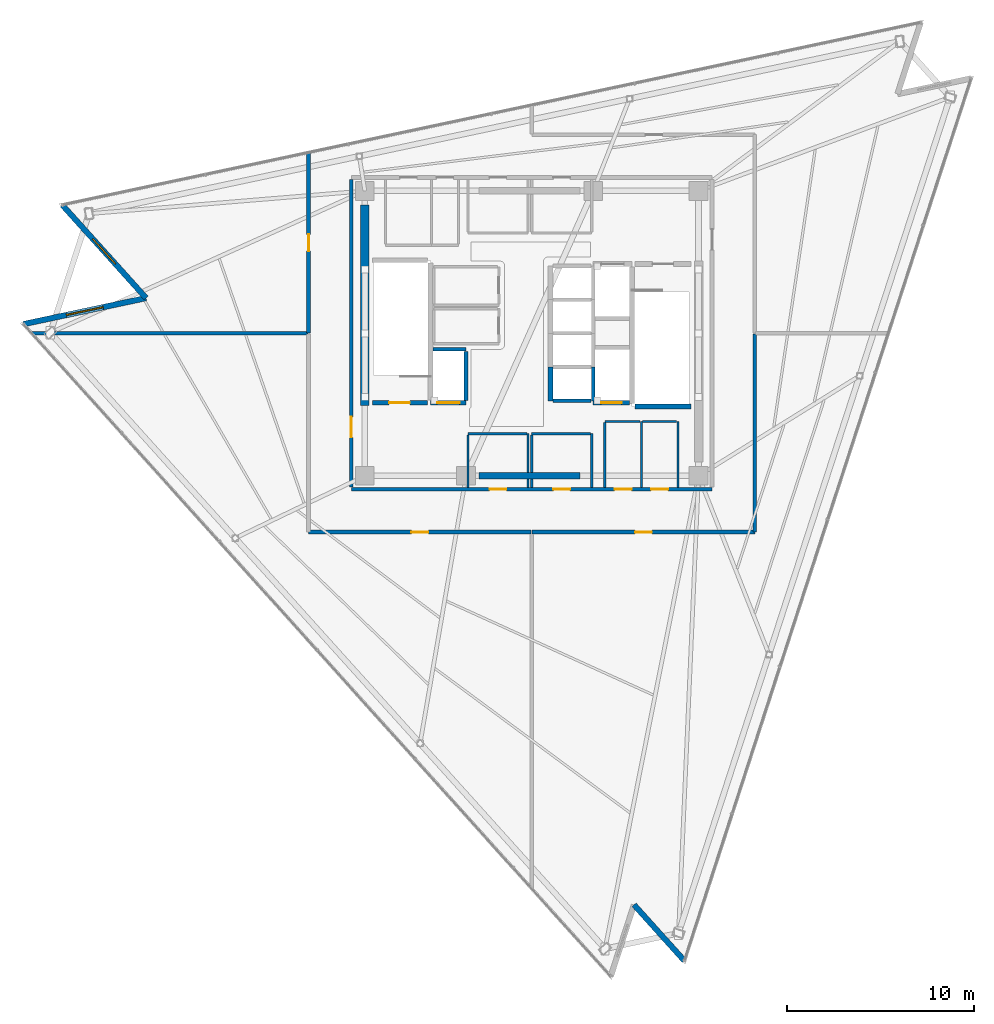
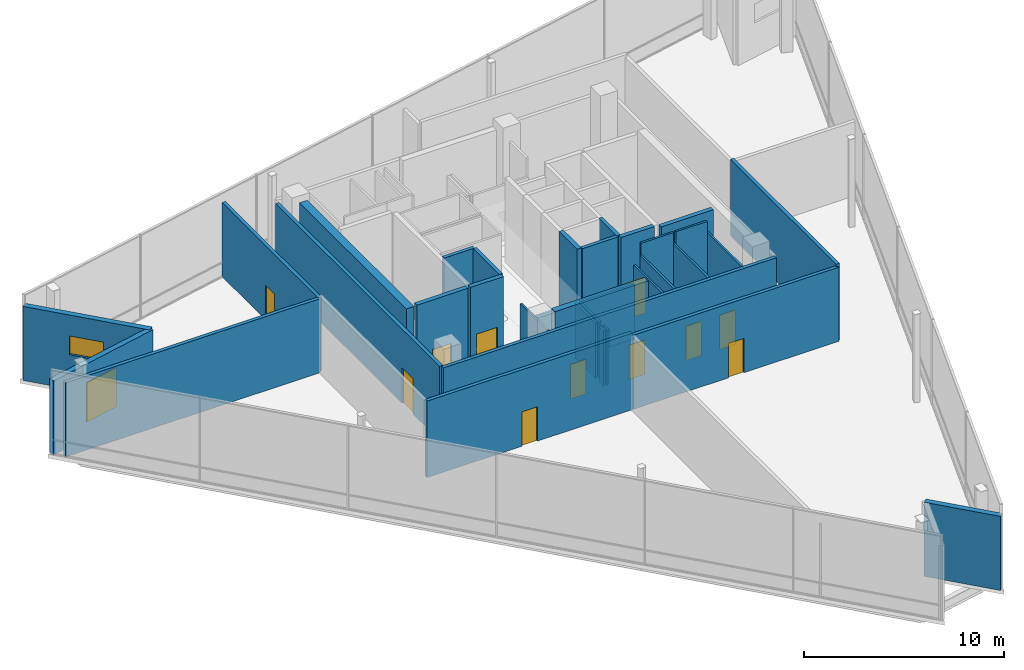
# One storey, part 11 of 14: 34 walls, 11 doors, 2 windows, 13 openings.
"""IFC4 building model written with IfcOpenShell, lengths in metres."""

import ifcopenshell
import ifcopenshell.guid

model = None  # the IFC model being written
_history = None  # IfcOwnerHistory: only IFC2X3 demands one
_inside = {}  # id of a spatial element -> (the spatial element, [elements in it])
_under = {}  # id of a project, library or spatial element -> (it, [spatial elements below it])
_declared = {}  # id of a project -> (the project, [libraries it declares])
_typed = {}  # id of a type object -> (the type object, [elements of that type])
_made_of = {}  # id of a material, layer set ... -> (it, [elements and type objects made of it])


def new_model(schema):
    """Start an empty IFC model of exactly this schema.

    Asked for "IFC4X3", IfcOpenShell would pick the latest addendum, in which some entities
    have other attributes; the version numbers below select the first issue.
    IFC2X3 requires an IfcOwnerHistory on every rooted entity: one is made here for all.
    """
    global model, _history
    if schema == "IFC4X3":
        model = ifcopenshell.file(schema_version=(4, 3, 0, 0))
    else:
        model = ifcopenshell.file(schema=schema)
    _inside.clear()
    _under.clear()
    _declared.clear()
    _typed.clear()
    _made_of.clear()
    _history = None
    if model.schema == "IFC2X3":
        org = make("IfcOrganization", Name="unknown")
        user = make(
            "IfcPersonAndOrganization",
            ThePerson=make("IfcPerson", FamilyName="unknown"),
            TheOrganization=org,
        )
        app = make(
            "IfcApplication",
            ApplicationDeveloper=org,
            Version="unknown",
            ApplicationFullName="unknown",
            ApplicationIdentifier="unknown",
        )
        _history = make(
            "IfcOwnerHistory",
            OwningUser=user,
            OwningApplication=app,
            ChangeAction="ADDED",
            CreationDate=0,
        )
    return model


def make(cls, **values):
    """One entity of the class cls with the attributes given. An attribute that is None is left unset."""
    return model.create_entity(
        cls, **{name: value for name, value in values.items() if value is not None}
    )


def rooted(cls, **values):
    """An entity with a GlobalId (a new one), such as an element, a storey or a relation."""
    return make(cls, GlobalId=ifcopenshell.guid.new(), OwnerHistory=_history, **values)


def si_unit(unit_type, name, prefix=None):
    """IfcSIUnit, for example si_unit("LENGTHUNIT", "METRE", prefix="MILLI")."""
    return make("IfcSIUnit", UnitType=unit_type, Prefix=prefix, Name=name)


def assignment(units):
    """IfcUnitAssignment: the units of a project."""
    return None if units is None else make("IfcUnitAssignment", Units=units)


def point(xyz):
    """IfcCartesianPoint."""
    return None if xyz is None else make("IfcCartesianPoint", Coordinates=xyz)


def direction(xyz):
    """IfcDirection."""
    return None if xyz is None else make("IfcDirection", DirectionRatios=xyz)


def frame(location, z_axis=None, x_axis=None):
    """IfcAxis2Placement3D, a coordinate frame: its origin and axes. An axis left out is left unset."""
    return make(
        "IfcAxis2Placement3D",
        Location=point(location),
        Axis=direction(z_axis),
        RefDirection=direction(x_axis),
    )


def frame_2d(location, x_axis=None):
    """IfcAxis2Placement2D, a coordinate frame in the plane: its origin and x axis."""
    return make(
        "IfcAxis2Placement2D", Location=point(location), RefDirection=direction(x_axis)
    )


def origin():
    """The frame at (0, 0, 0) with its axes left unset."""
    return frame((0.0, 0.0, 0.0))


def place(relative_to, where):
    """IfcLocalPlacement: puts the frame where relative to a parent placement (None: the world)."""
    return make(
        "IfcLocalPlacement", PlacementRelTo=relative_to, RelativePlacement=where
    )


def context(
    kind, dimensions, precision=None, world=None, true_north=None, identifier=None
):
    """IfcGeometricRepresentationContext, for example the 3D "Model" context."""
    return make(
        "IfcGeometricRepresentationContext",
        ContextIdentifier=identifier,
        ContextType=kind,
        CoordinateSpaceDimension=dimensions,
        Precision=precision,
        WorldCoordinateSystem=world,
        TrueNorth=true_north,
    )


def subcontext(parent, identifier, kind, view, scale=None):
    """IfcGeometricRepresentationSubContext, for example "Body" below "Model"."""
    return make(
        "IfcGeometricRepresentationSubContext",
        ContextIdentifier=identifier,
        ContextType=kind,
        ParentContext=parent,
        TargetScale=scale,
        TargetView=view,
    )


def project(units=None, contexts=None):
    """IfcProject with its units and contexts."""
    return rooted(
        "IfcProject",
        Name="project",
        RepresentationContexts=contexts,
        UnitsInContext=assignment(units),
    )


def spatial(cls, under=None, at=None, **own):
    """A site, building, storey or space (cls), placed at a placement, below another one or the project."""
    s = rooted(cls, ObjectPlacement=at, **own)
    if under is not None:
        _under.setdefault(under.id(), (under, []))[1].append(s)
    return s


def profile(cls, at=None, kind="AREA", **sizes):
    """A parametric profile (cls). Its sizes go by their IFC names, for example OverallWidth=200.0."""
    return make(cls, ProfileType=kind, Position=at, **sizes)


def rectangle(**sizes):
    """IfcRectangleProfileDef."""
    return profile("IfcRectangleProfileDef", **sizes)


def extrude(swept, where, along, depth):
    """IfcExtrudedAreaSolid: the profile swept, set in the frame where, extruded along a direction by depth."""
    return make(
        "IfcExtrudedAreaSolid",
        SweptArea=swept,
        Position=where,
        ExtrudedDirection=direction(along),
        Depth=depth,
    )


def shape(context_of_items, identifier, shape_type, items):
    """IfcShapeRepresentation: the items that make up one representation, for example the "Body"."""
    return make(
        "IfcShapeRepresentation",
        ContextOfItems=context_of_items,
        RepresentationIdentifier=identifier,
        RepresentationType=shape_type,
        Items=items,
    )


def material(Name=None, Category=None):
    """IfcMaterial."""
    return make("IfcMaterial", Name=Name, Category=Category)


def layer(
    of_material, thickness, ventilated=None, Name=None, Category=None, Priority=None
):
    """IfcMaterialLayer: one layer of a wall or slab, of a material (None: an air gap)."""
    return make(
        "IfcMaterialLayer",
        Material=of_material,
        LayerThickness=thickness,
        IsVentilated=ventilated,
        Name=Name,
        Category=Category,
        Priority=Priority,
    )


def layer_set(layers, Name=None):
    """IfcMaterialLayerSet."""
    return make("IfcMaterialLayerSet", MaterialLayers=layers, LayerSetName=Name)


def made_of(thing, what):
    """Note that an element or type object is made of a material, layer set ...; save() writes the relation."""
    if what is not None:
        _made_of.setdefault(what.id(), (what, []))[1].append(thing)
    return thing


def type_object(cls, material=None, **own):
    """A type object (cls), such as IfcWallType, which elements share."""
    return made_of(rooted(cls, **own), material)


def element(
    cls,
    number,
    at=None,
    inside=None,
    cuts=None,
    type_object=None,
    material=None,
    context=None,
    identifier="Body",
    shape_type=None,
    held_by="IfcProductDefinitionShape",
    body=None,
    shapes=None,
    **own,
):
    """One element of the class cls, such as IfcWall. Its Tag is "e" and its number.

    at: its placement. inside: the storey or other place that contains it. cuts: it is an
    opening in that element (IfcRelVoidsElement). A single representation is given by context,
    identifier, shape_type and body (its items); several are given by shapes. held_by: the class
    of the entity that holds the representations. save() writes the other relations.
    """
    e = rooted(cls, Tag="e%d" % number, ObjectPlacement=at, **own)
    if body is not None:
        shapes = [shape(context, identifier, shape_type, body)]
    if shapes is not None:
        e.Representation = make(held_by, Representations=shapes)
    if inside is not None:
        _inside.setdefault(inside.id(), (inside, []))[1].append(e)
    if cuts is not None:
        rooted(
            "IfcRelVoidsElement", RelatingBuildingElement=cuts, RelatedOpeningElement=e
        )
    if type_object is not None:
        _typed.setdefault(type_object.id(), (type_object, []))[1].append(e)
    return made_of(e, material)


def fill(opening, filler):
    """IfcRelFillsElement: the door or window that sits in an opening."""
    return rooted(
        "IfcRelFillsElement",
        RelatingOpeningElement=opening,
        RelatedBuildingElement=filler,
    )


def aggregate(whole, parts):
    """IfcRelAggregates: a whole, such as a stair, and the parts it consists of."""
    return rooted("IfcRelAggregates", RelatingObject=whole, RelatedObjects=parts)


def save(model, path):
    """Write the relations noted so far, then the file.

    IfcRelAggregates (storeys below a building ...), IfcRelContainedInSpatialStructure (elements
    in a storey), IfcRelDefinesByType, IfcRelAssociatesMaterial and IfcRelDeclares: one each for
    every whole, place, type object, material and project.
    """
    for whole, parts in _under.values():
        aggregate(whole, parts)
    for where, things in _inside.values():
        rooted(
            "IfcRelContainedInSpatialStructure",
            RelatedElements=things,
            RelatingStructure=where,
        )
    for kind, things in _typed.values():
        rooted("IfcRelDefinesByType", RelatedObjects=things, RelatingType=kind)
    for what, things in _made_of.values():
        rooted("IfcRelAssociatesMaterial", RelatedObjects=things, RelatingMaterial=what)
    for by, libraries in _declared.values():
        rooted("IfcRelDeclares", RelatingContext=by, RelatedDefinitions=libraries)
    model.write(path)


model = new_model("IFC4")

# Units and contexts
model_context = context("Model", 3, precision=1e-05, world=origin(), true_north=direction((0.0, 1.0)))
body_context = subcontext(model_context, "Body", "Model", "MODEL_VIEW")
ifc_project = project(units=[si_unit("LENGTHUNIT", "METRE"), si_unit("AREAUNIT", "SQUARE_METRE"), si_unit("VOLUMEUNIT", "CUBIC_METRE"), si_unit("PLANEANGLEUNIT", "RADIAN"), si_unit("MASSUNIT", "GRAM", prefix="KILO")], contexts=[model_context])

# Site, building, storey
site_placement = place(None, origin())
site = spatial("IfcSite", under=ifc_project, at=site_placement, CompositionType="ELEMENT")
building_placement = place(site_placement, origin())
building = spatial("IfcBuilding", under=site, at=building_placement, Name="Tharavind Bronze Gate", CompositionType="ELEMENT")
storey_placement = place(building_placement, frame((0.0, 0.0, 310.85009765625)))
storey = spatial("IfcBuildingStorey", under=building, at=storey_placement, Name="L80", CompositionType="ELEMENT", Elevation=310.85009765625)

# Wall, opening, window
ifc_material_1 = material(Name="Concrete C40/50", Category="concrete")
ifc_layer_1 = layer(ifc_material_1, 0.300048828125)
ifc_layer_set_1 = layer_set([ifc_layer_1], Name="Concrete C40/50")
wall_type_1 = type_object("IfcWallType", Name="EXTERIOR SPANDREL WALL 300", PredefinedType="STANDARD", material=ifc_layer_set_1)
wall_1_placement = place(storey_placement, frame((-25.041015625, 6.84814453125, 0.0), z_axis=(0.0, 0.0, 1.0), x_axis=(0.669132313306, -0.743143288532, 0.0)))
wall_1 = element("IfcWall", 1, at=wall_1_placement, inside=storey, type_object=wall_type_1, Name="L80 notch cheek wall 1A", PredefinedType="STANDARD", context=body_context, shape_type="SweptSolid", body=[
    extrude(rectangle(XDim=6.679931640625, YDim=0.300048828125, at=frame_2d((3.33984375, 0.0))), origin(), (0.0, 0.0, 1.0), 4.52490234375),
])
opening_1_placement = place(wall_1_placement, frame((2.43994140625, 0.0, 2.10009765625)))
opening_1 = element("IfcOpeningElement", 2, at=opening_1_placement, cuts=wall_1, Name="Opening W07", PredefinedType="OPENING", context=body_context, shape_type="SweptSolid", body=[
    extrude(rectangle(XDim=1.800048828125, YDim=1.14990234375, at=frame_2d((0.89990234375, 0.574951171875))), frame((0.0, 0.15990234375, 0.0), z_axis=(0.0, -1.0, 0.0), x_axis=(1.0, 0.0, 0.0)), (0.0, 0.0, 1.0), 0.320048828125),
])
ifc_material_2 = material(Name="Bronze Aluminium & Low-E Glass", Category="aluminium")
window_type_1 = type_object("IfcWindowType", Name="CROWN CLERESTORY SKYLIGHT 1800X1150", PartitioningType="SINGLE_PANEL", PredefinedType="SKYLIGHT", material=ifc_material_2)
window_1_placement = place(opening_1_placement, origin())
window_1 = element("IfcWindow", 3, at=window_1_placement, inside=storey, type_object=window_type_1, Name="L80 crown clerestory skylight 1", OverallHeight=1.14990234375, OverallWidth=1.800048828125, PartitioningType="SINGLE_PANEL", PredefinedType="SKYLIGHT", context=body_context, shape_type="SweptSolid", body=[
    extrude(rectangle(XDim=1.800048828125, YDim=1.14990234375, at=frame_2d((0.89990234375, 0.574951171875))), frame((0.0, 0.030029296875, 0.0), z_axis=(0.0, -1.0, 0.0), x_axis=(1.0, 0.0, 0.0)), (0.0, 0.0, 1.0), 0.06005859375),
])
fill(opening_1, window_1)

wall_2_placement = place(storey_placement, frame((-20.5712890625, 1.884033203125, 0.0), z_axis=(0.0, 0.0, 1.0), x_axis=(-0.978145008547, -0.207923885724, 0.0)))
wall_2 = element("IfcWall", 4, at=wall_2_placement, inside=storey, type_object=wall_type_1, Name="L80 notch cheek wall 1B", PredefinedType="STANDARD", context=body_context, shape_type="SweptSolid", body=[
    extrude(rectangle(XDim=6.679931640625, YDim=0.300048828125, at=frame_2d((3.33984375, 0.0))), origin(), (0.0, 0.0, 1.0), 4.52490234375),
])
opening_2_placement = place(wall_2_placement, frame((2.340087890625, 0.0, 0.85009765625)))
opening_2 = element("IfcOpeningElement", 5, at=opening_2_placement, cuts=wall_2, Name="Opening W06", PredefinedType="OPENING", context=body_context, shape_type="SweptSolid", body=[
    extrude(rectangle(XDim=2.0, YDim=2.39990234375, at=frame_2d((1.0, 1.199951171875))), frame((0.0, 0.15990234375, 0.0), z_axis=(0.0, -1.0, 0.0), x_axis=(1.0, 0.0, 0.0)), (0.0, 0.0, 1.0), 0.320048828125),
])
window_type_2 = type_object("IfcWindowType", Name="CROWN OBSERVATORY WINDOW 2000X2400", PartitioningType="DOUBLE_PANEL_VERTICAL", PredefinedType="WINDOW", material=ifc_material_2)
window_2_placement = place(opening_2_placement, origin())
window_2 = element("IfcWindow", 6, at=window_2_placement, inside=storey, type_object=window_type_2, Name="L80 exterior window WL-L80-NCB1-01", OverallHeight=2.39990234375, OverallWidth=2.0, PartitioningType="SINGLE_PANEL", PredefinedType="WINDOW", context=body_context, shape_type="SweptSolid", body=[
    extrude(rectangle(XDim=2.0, YDim=2.39990234375, at=frame_2d((1.0, 1.199951171875))), frame((0.0, 0.030029296875, 0.0), z_axis=(0.0, -1.0, 0.0), x_axis=(1.0, 0.0, 0.0)), (0.0, 0.0, 1.0), 0.06005859375),
])
fill(opening_2, window_2)

# Wall
wall_3_placement = place(storey_placement, frame((5.459228515625, -30.484130859375, 0.0), z_axis=(0.0, 0.0, 1.0), x_axis=(0.669132983361, -0.743142685208, 0.0)))
element("IfcWall", 7, at=wall_3_placement, inside=storey, type_object=wall_type_1, Name="L80 notch cheek wall 2B", PredefinedType="STANDARD", context=body_context, shape_type="SweptSolid", body=[
    extrude(rectangle(XDim=4.008056640625, YDim=0.300048828125, at=frame_2d((2.00390625, 0.0))), origin(), (0.0, 0.0, 1.0), 4.52490234375),
])

# Wall, openings, doors
ifc_material_3 = material(Name="Aerated Concrete Block", Category="concrete")
ifc_layer_2 = layer(ifc_material_3, 0.199951171875)
ifc_layer_set_2 = layer_set([ifc_layer_2], Name="Aerated Concrete Block")
wall_type_2 = type_object("IfcWallType", Name="FIRE RATED PARTITION 200", PredefinedType="PARTITIONING", material=ifc_layer_set_2)
wall_4_placement = place(storey_placement, frame((-9.6201171875, -8.320068359375, 0.0), z_axis=(0.0, 0.0, 1.0), x_axis=(1.0, 0.0, 0.0)))
wall_4 = element("IfcWall", 8, at=wall_4_placement, inside=storey, type_object=wall_type_2, Name="L80 south core corridor wall", PredefinedType="PARTITIONING", context=body_context, shape_type="SweptSolid", body=[
    extrude(rectangle(XDim=19.240234375, YDim=0.199951171875, at=frame_2d((9.6201171875, 0.0))), origin(), (0.0, 0.0, 1.0), 4.52490234375),
])
opening_3_placement = place(wall_4_placement, frame((7.3701171875, 0.0, 0.0)))
opening_3 = element("IfcOpeningElement", 9, at=opening_3_placement, cuts=wall_4, Name="Opening ID07", PredefinedType="OPENING", context=body_context, shape_type="SweptSolid", body=[
    extrude(rectangle(XDim=0.89990234375, YDim=2.10009765625, at=frame_2d((0.449951171875, 1.050048828125))), frame((0.0, 0.11009765625, 0.0), z_axis=(0.0, -1.0, 0.0), x_axis=(1.0, 0.0, 0.0)), (0.0, 0.0, 1.0), 0.219951171875),
])
opening_4_placement = place(wall_4_placement, frame((10.77001953125, 0.0, 0.0)))
opening_4 = element("IfcOpeningElement", 10, at=opening_4_placement, cuts=wall_4, Name="Opening ID07", PredefinedType="OPENING", context=body_context, shape_type="SweptSolid", body=[
    extrude(rectangle(XDim=0.89990234375, YDim=2.10009765625, at=frame_2d((0.449951171875, 1.050048828125))), frame((0.0, 0.11009765625, 0.0), z_axis=(0.0, -1.0, 0.0), x_axis=(1.0, 0.0, 0.0)), (0.0, 0.0, 1.0), 0.219951171875),
])
opening_5_placement = place(wall_4_placement, frame((14.044921875, 0.0, 0.0)))
opening_5 = element("IfcOpeningElement", 11, at=opening_5_placement, cuts=wall_4, Name="Opening ID07", PredefinedType="OPENING", context=body_context, shape_type="SweptSolid", body=[
    extrude(rectangle(XDim=0.89990234375, YDim=2.10009765625, at=frame_2d((0.449951171875, 1.050048828125))), frame((0.0, 0.11009765625, 0.0), z_axis=(0.0, -1.0, 0.0), x_axis=(1.0, 0.0, 0.0)), (0.0, 0.0, 1.0), 0.219951171875),
])
opening_6_placement = place(wall_4_placement, frame((15.9951171875, 0.0, 0.0)))
opening_6 = element("IfcOpeningElement", 12, at=opening_6_placement, cuts=wall_4, Name="Opening ID07", PredefinedType="OPENING", context=body_context, shape_type="SweptSolid", body=[
    extrude(rectangle(XDim=0.89990234375, YDim=2.10009765625, at=frame_2d((0.449951171875, 1.050048828125))), frame((0.0, 0.11009765625, 0.0), z_axis=(0.0, -1.0, 0.0), x_axis=(1.0, 0.0, 0.0)), (0.0, 0.0, 1.0), 0.219951171875),
])
ifc_material_4 = material(Name="Galvanised Fire Steel", Category="steel")
door_type_1 = type_object("IfcDoorType", Name="PLANT AND RISER FIRE DOOR 900X2100", OperationType="SINGLE_SWING_LEFT", PredefinedType="DOOR", material=ifc_material_4)
door_1_placement = place(opening_3_placement, frame((0.89990234375, 0.0, 0.0), z_axis=(0.0, 0.0, 1.0), x_axis=(-1.0, 0.0, 0.0)))
door_1 = element("IfcDoor", 13, at=door_1_placement, inside=storey, type_object=door_type_1, Name="L80 Core Chiller Valve Plant Room fire door", OperationType="SINGLE_SWING_LEFT", OverallHeight=2.10009765625, OverallWidth=0.89990234375, PredefinedType="DOOR", context=body_context, shape_type="SweptSolid", body=[
    extrude(rectangle(XDim=0.89990234375, YDim=2.10009765625, at=frame_2d((0.449951171875, 1.050048828125))), frame((0.0, 0.02490234375, 0.0), z_axis=(0.0, -1.0, 0.0), x_axis=(1.0, 0.0, 0.0)), (0.0, 0.0, 1.0), 0.050048828125),
])
fill(opening_3, door_1)
door_2_placement = place(opening_4_placement, frame((0.89990234375, 0.0, 0.0), z_axis=(0.0, 0.0, 1.0), x_axis=(-1.0, 0.0, 0.0)))
door_2 = element("IfcDoor", 14, at=door_2_placement, inside=storey, type_object=door_type_1, Name="L80 Core AHU Controls Plant Room fire door", OperationType="SINGLE_SWING_LEFT", OverallHeight=2.10009765625, OverallWidth=0.89990234375, PredefinedType="DOOR", context=body_context, shape_type="SweptSolid", body=[
    extrude(rectangle(XDim=0.89990234375, YDim=2.10009765625, at=frame_2d((0.449951171875, 1.050048828125))), frame((0.0, 0.02490234375, 0.0), z_axis=(0.0, -1.0, 0.0), x_axis=(1.0, 0.0, 0.0)), (0.0, 0.0, 1.0), 0.050048828125),
])
fill(opening_4, door_2)
door_3_placement = place(opening_5_placement, frame((0.89990234375, 0.0, 0.0), z_axis=(0.0, 0.0, 1.0), x_axis=(-1.0, 0.0, 0.0)))
door_3 = element("IfcDoor", 15, at=door_3_placement, inside=storey, type_object=door_type_1, Name="L80 Fire Pump Switch Room fire door", OperationType="SINGLE_SWING_LEFT", OverallHeight=2.10009765625, OverallWidth=0.89990234375, PredefinedType="DOOR", context=body_context, shape_type="SweptSolid", body=[
    extrude(rectangle(XDim=0.89990234375, YDim=2.10009765625, at=frame_2d((0.449951171875, 1.050048828125))), frame((0.0, 0.02490234375, 0.0), z_axis=(0.0, -1.0, 0.0), x_axis=(1.0, 0.0, 0.0)), (0.0, 0.0, 1.0), 0.050048828125),
])
fill(opening_5, door_3)
door_4_placement = place(opening_6_placement, frame((0.89990234375, 0.0, 0.0), z_axis=(0.0, 0.0, 1.0), x_axis=(-1.0, 0.0, 0.0)))
door_4 = element("IfcDoor", 16, at=door_4_placement, inside=storey, type_object=door_type_1, Name="L80 Break Water Tank Room fire door", OperationType="SINGLE_SWING_LEFT", OverallHeight=2.10009765625, OverallWidth=0.89990234375, PredefinedType="DOOR", context=body_context, shape_type="SweptSolid", body=[
    extrude(rectangle(XDim=0.89990234375, YDim=2.10009765625, at=frame_2d((0.449951171875, 1.050048828125))), frame((0.0, 0.02490234375, 0.0), z_axis=(0.0, -1.0, 0.0), x_axis=(1.0, 0.0, 0.0)), (0.0, 0.0, 1.0), 0.050048828125),
])
fill(opening_6, door_4)

# Wall, opening, door
wall_5_placement = place(storey_placement, frame((-9.6201171875, 8.199951171875, 0.0), z_axis=(0.0, 0.0, 1.0), x_axis=(0.0, -1.0, 0.0)))
wall_5 = element("IfcWall", 17, at=wall_5_placement, inside=storey, type_object=wall_type_2, Name="L80 west core corridor wall", PredefinedType="PARTITIONING", context=body_context, shape_type="SweptSolid", body=[
    extrude(rectangle(XDim=16.39990234375, YDim=0.199951171875, at=frame_2d((8.199951171875, 0.0))), origin(), (0.0, 0.0, 1.0), 4.52490234375),
])
opening_7_placement = place(wall_5_placement, frame((12.64990234375, 0.0, 0.0)))
opening_7 = element("IfcOpeningElement", 18, at=opening_7_placement, cuts=wall_5, Name="Opening ID01", PredefinedType="OPENING", context=body_context, shape_type="SweptSolid", body=[
    extrude(rectangle(XDim=1.10009765625, YDim=2.14990234375, at=frame_2d((0.550048828125, 1.074951171875))), frame((0.0, 0.11009765625, 0.0), z_axis=(0.0, -1.0, 0.0), x_axis=(1.0, 0.0, 0.0)), (0.0, 0.0, 1.0), 0.219951171875),
])
ifc_material_5 = material(Name="Fire-Rated Steel", Category="steel")
door_type_2 = type_object("IfcDoorType", Name="STAIR CORE FIRE DOOR 1100X2150", OperationType="SINGLE_SWING_LEFT", PredefinedType="DOOR", material=ifc_material_5)
door_5_placement = place(opening_7_placement, frame((1.10009765625, 0.0, 0.0), z_axis=(0.0, 0.0, 1.0), x_axis=(-1.0, 0.0, 0.0)))
door_5 = element("IfcDoor", 19, at=door_5_placement, inside=storey, type_object=door_type_2, Name="L80 south west stair lobby fire door", OperationType="SINGLE_SWING_LEFT", OverallHeight=2.14990234375, OverallWidth=1.10009765625, PredefinedType="DOOR", context=body_context, shape_type="SweptSolid", body=[
    extrude(rectangle(XDim=1.10009765625, YDim=2.14990234375, at=frame_2d((0.550048828125, 1.074951171875))), frame((0.0, 0.02490234375, 0.0), z_axis=(0.0, -1.0, 0.0), x_axis=(1.0, 0.0, 0.0)), (0.0, 0.0, 1.0), 0.050048828125),
])
fill(opening_7, door_5)

wall_6_placement = place(storey_placement, frame((-11.89990234375, 9.641357421875, 0.0), z_axis=(0.0, 0.0, 1.0), x_axis=(0.0, -1.0, 0.0)))
wall_6 = element("IfcWall", 20, at=wall_6_placement, inside=storey, type_object=wall_type_2, Name="L80 Crown Electrical Switchgear Plant West partition", PredefinedType="PARTITIONING", context=body_context, shape_type="SweptSolid", body=[
    extrude(rectangle(XDim=9.616455078125, YDim=0.199951171875, at=frame_2d((4.80810546875, 0.0))), origin(), (0.0, 0.0, 1.0), 4.52490234375),
])
opening_8_placement = place(wall_6_placement, frame((4.35791015625, 0.0, 0.0)))
opening_8 = element("IfcOpeningElement", 21, at=opening_8_placement, cuts=wall_6, Name="Opening ID07", PredefinedType="OPENING", context=body_context, shape_type="SweptSolid", body=[
    extrude(rectangle(XDim=0.89990234375, YDim=2.10009765625, at=frame_2d((0.449951171875, 1.050048828125))), frame((0.0, 0.11009765625, 0.0), z_axis=(0.0, -1.0, 0.0), x_axis=(1.0, 0.0, 0.0)), (0.0, 0.0, 1.0), 0.219951171875),
])
door_6_placement = place(opening_8_placement, origin())
door_6 = element("IfcDoor", 22, at=door_6_placement, inside=storey, type_object=door_type_1, Name="L80 Crown Electrical Switchgear Plant West door", OperationType="SINGLE_SWING_LEFT", OverallHeight=2.10009765625, OverallWidth=0.89990234375, PredefinedType="DOOR", context=body_context, shape_type="SweptSolid", body=[
    extrude(rectangle(XDim=0.89990234375, YDim=2.10009765625, at=frame_2d((0.449951171875, 1.050048828125))), frame((0.0, 0.02490234375, 0.0), z_axis=(0.0, -1.0, 0.0), x_axis=(1.0, 0.0, 0.0)), (0.0, 0.0, 1.0), 0.050048828125),
])
fill(opening_8, door_6)

# Wall
wall_7_placement = place(storey_placement, frame((-11.925048828125, 0.0, 0.0), z_axis=(0.0, 0.0, 1.0), x_axis=(-1.0, 0.0, 0.0)))
element("IfcWall", 23, at=wall_7_placement, inside=storey, type_object=wall_type_2, Name="L80 Crown Electrical Switchgear Plant West partition", PredefinedType="PARTITIONING", context=body_context, shape_type="SweptSolid", body=[
    extrude(rectangle(XDim=14.72314453125, YDim=0.199951171875, at=frame_2d((7.361572265625, 0.0))), origin(), (0.0, 0.0, 1.0), 4.52490234375),
])

# Wall, opening, door
wall_8_placement = place(storey_placement, frame((-11.8994140625, -10.60009765625, 0.0), z_axis=(0.0, 0.0, 1.0), x_axis=(1.0, 0.0, 0.0)))
wall_8 = element("IfcWall", 24, at=wall_8_placement, inside=storey, type_object=wall_type_2, Name="L80 Crown Lift Machine & Smoke Plant South partition", PredefinedType="PARTITIONING", context=body_context, shape_type="SweptSolid", body=[
    extrude(rectangle(XDim=11.87451171875, YDim=0.199951171875, at=frame_2d((5.937255859375, 0.0))), origin(), (0.0, 0.0, 1.0), 4.6748046875),
])
opening_9_placement = place(wall_8_placement, frame((5.487060546875, 0.0, 0.0)))
opening_9 = element("IfcOpeningElement", 25, at=opening_9_placement, cuts=wall_8, Name="Opening ID07", PredefinedType="OPENING", context=body_context, shape_type="SweptSolid", body=[
    extrude(rectangle(XDim=0.89990234375, YDim=2.10009765625, at=frame_2d((0.449951171875, 1.050048828125))), frame((0.0, 0.11009765625, 0.0), z_axis=(0.0, -1.0, 0.0), x_axis=(1.0, 0.0, 0.0)), (0.0, 0.0, 1.0), 0.219951171875),
])
door_7_placement = place(opening_9_placement, origin())
door_7 = element("IfcDoor", 26, at=door_7_placement, inside=storey, type_object=door_type_1, Name="L80 Crown Lift Machine & Smoke Plant South door", OperationType="SINGLE_SWING_LEFT", OverallHeight=2.10009765625, OverallWidth=0.89990234375, PredefinedType="DOOR", context=body_context, shape_type="SweptSolid", body=[
    extrude(rectangle(XDim=0.89990234375, YDim=2.10009765625, at=frame_2d((0.449951171875, 1.050048828125))), frame((0.0, 0.02490234375, 0.0), z_axis=(0.0, -1.0, 0.0), x_axis=(1.0, 0.0, 0.0)), (0.0, 0.0, 1.0), 0.050048828125),
])
fill(opening_9, door_7)

wall_9_placement = place(storey_placement, frame((0.02490234375, -10.60009765625, 0.0), z_axis=(0.0, 0.0, 1.0), x_axis=(1.0, 0.0, 0.0)))
wall_9 = element("IfcWall", 27, at=wall_9_placement, inside=storey, type_object=wall_type_2, Name="L80 Crown Booster & Damper Plant East partition", PredefinedType="PARTITIONING", context=body_context, shape_type="SweptSolid", body=[
    extrude(rectangle(XDim=11.87451171875, YDim=0.199951171875, at=frame_2d((5.937255859375, 0.0))), origin(), (0.0, 0.0, 1.0), 4.52490234375),
])
opening_10_placement = place(wall_9_placement, frame((5.487060546875, 0.0, 0.0)))
opening_10 = element("IfcOpeningElement", 28, at=opening_10_placement, cuts=wall_9, Name="Opening ID07", PredefinedType="OPENING", context=body_context, shape_type="SweptSolid", body=[
    extrude(rectangle(XDim=0.89990234375, YDim=2.10009765625, at=frame_2d((0.449951171875, 1.050048828125))), frame((0.0, 0.11009765625, 0.0), z_axis=(0.0, -1.0, 0.0), x_axis=(1.0, 0.0, 0.0)), (0.0, 0.0, 1.0), 0.219951171875),
])
door_8_placement = place(opening_10_placement, origin())
door_8 = element("IfcDoor", 29, at=door_8_placement, inside=storey, type_object=door_type_1, Name="L80 Crown Booster & Damper Plant East door", OperationType="SINGLE_SWING_LEFT", OverallHeight=2.10009765625, OverallWidth=0.89990234375, PredefinedType="DOOR", context=body_context, shape_type="SweptSolid", body=[
    extrude(rectangle(XDim=0.89990234375, YDim=2.10009765625, at=frame_2d((0.449951171875, 1.050048828125))), frame((0.0, 0.02490234375, 0.0), z_axis=(0.0, -1.0, 0.0), x_axis=(1.0, 0.0, 0.0)), (0.0, 0.0, 1.0), 0.050048828125),
])
fill(opening_10, door_8)

# Walls
wall_10_placement = place(storey_placement, frame((11.89990234375, -10.599365234375, 0.0), z_axis=(0.0, 0.0, 1.0), x_axis=(0.0, 1.0, 0.0)))
element("IfcWall", 30, at=wall_10_placement, inside=storey, type_object=wall_type_2, Name="L80 Crown Booster & Damper Plant East partition", PredefinedType="PARTITIONING", context=body_context, shape_type="SweptSolid", body=[
    extrude(rectangle(XDim=10.574462890625, YDim=0.199951171875, at=frame_2d((5.287109375, 0.0))), origin(), (0.0, 0.0, 1.0), 4.6748046875),
])
ifc_material_6 = material(Name="Metal Stud Gypsum Partition", Category="gypsum")
ifc_layer_3 = layer(ifc_material_6, 0.1201171875)
ifc_layer_set_3 = layer_set([ifc_layer_3], Name="Metal Stud Gypsum Partition")
wall_type_3 = type_object("IfcWallType", Name="INTERIOR PARTITION WALL 120", PredefinedType="PARTITIONING", material=ifc_layer_set_3)
wall_11_placement = place(storey_placement, frame((-0.199951171875, -8.215087890625, 0.0), z_axis=(0.0, 0.0, 1.0), x_axis=(0.0, 1.0, 0.0)))
element("IfcWall", 31, at=wall_11_placement, inside=storey, type_object=wall_type_3, Name="L80 Core Chiller Valve Plant Room partition 2", PredefinedType="PARTITIONING", context=body_context, shape_type="SweptSolid", body=[
    extrude(rectangle(XDim=0.43505859375, YDim=0.1201171875, at=frame_2d((0.217529296875, 0.0))), origin(), (0.0, 0.0, 1.0), 3.375),
])
wall_12_placement = place(storey_placement, frame((-0.199951171875, -7.419921875, 0.0), z_axis=(0.0, 0.0, 1.0), x_axis=(0.0, 1.0, 0.0)))
element("IfcWall", 32, at=wall_12_placement, inside=storey, type_object=wall_type_3, Name="L80 Core Chiller Valve Plant Room partition 2", PredefinedType="PARTITIONING", context=body_context, shape_type="SweptSolid", body=[
    extrude(rectangle(XDim=2.06982421875, YDim=0.1201171875, at=frame_2d((1.034912109375, 0.0))), origin(), (0.0, 0.0, 1.0), 3.375),
])
wall_13_placement = place(storey_placement, frame((-0.264892578125, -5.35009765625, 0.0), z_axis=(0.0, 0.0, 1.0), x_axis=(-1.0, 0.0, 0.0)))
element("IfcWall", 33, at=wall_13_placement, inside=storey, type_object=wall_type_3, Name="L80 Core Chiller Valve Plant Room partition 3", PredefinedType="PARTITIONING", context=body_context, shape_type="SweptSolid", body=[
    extrude(rectangle(XDim=3.135009765625, YDim=0.1201171875, at=frame_2d((1.5673828125, 0.0))), origin(), (0.0, 0.0, 1.0), 3.375),
])
wall_14_placement = place(storey_placement, frame((-3.39990234375, -5.4150390625, 0.0), z_axis=(0.0, 0.0, 1.0), x_axis=(0.0, -1.0, 0.0)))
element("IfcWall", 34, at=wall_14_placement, inside=storey, type_object=wall_type_3, Name="L80 Core Chiller Valve Plant Room partition 4", PredefinedType="PARTITIONING", context=body_context, shape_type="SweptSolid", body=[
    extrude(rectangle(XDim=2.800048828125, YDim=0.1201171875, at=frame_2d((1.39990234375, 0.0))), origin(), (0.0, 0.0, 1.0), 4.474853515625),
])
wall_15_placement = place(storey_placement, frame((3.199951171875, -8.215087890625, 0.0), z_axis=(0.0, 0.0, 1.0), x_axis=(0.0, 1.0, 0.0)))
element("IfcWall", 35, at=wall_15_placement, inside=storey, type_object=wall_type_3, Name="L80 Core AHU Controls Plant Room partition 2", PredefinedType="PARTITIONING", context=body_context, shape_type="SweptSolid", body=[
    extrude(rectangle(XDim=2.864990234375, YDim=0.1201171875, at=frame_2d((1.4326171875, 0.0))), origin(), (0.0, 0.0, 1.0), 4.474853515625),
])
wall_16_placement = place(storey_placement, frame((3.135009765625, -5.35009765625, 0.0), z_axis=(0.0, 0.0, 1.0), x_axis=(-1.0, 0.0, 0.0)))
element("IfcWall", 36, at=wall_16_placement, inside=storey, type_object=wall_type_3, Name="L80 Core AHU Controls Plant Room partition 3", PredefinedType="PARTITIONING", context=body_context, shape_type="SweptSolid", body=[
    extrude(rectangle(XDim=3.135009765625, YDim=0.1201171875, at=frame_2d((1.5673828125, 0.0))), origin(), (0.0, 0.0, 1.0), 3.375),
])
wall_17_placement = place(storey_placement, frame((0.0, -5.4150390625, 0.0), z_axis=(0.0, 0.0, 1.0), x_axis=(0.0, -1.0, 0.0)))
element("IfcWall", 37, at=wall_17_placement, inside=storey, type_object=wall_type_3, Name="L80 Core AHU Controls Plant Room partition 4", PredefinedType="PARTITIONING", context=body_context, shape_type="SweptSolid", body=[
    extrude(rectangle(XDim=2.0048828125, YDim=0.1201171875, at=frame_2d((1.00244140625, 0.0))), origin(), (0.0, 0.0, 1.0), 3.375),
])
wall_18_placement = place(storey_placement, frame((0.0, -7.780029296875, 0.0), z_axis=(0.0, 0.0, 1.0), x_axis=(0.0, -1.0, 0.0)))
element("IfcWall", 38, at=wall_18_placement, inside=storey, type_object=wall_type_3, Name="L80 Core AHU Controls Plant Room partition 4", PredefinedType="PARTITIONING", context=body_context, shape_type="SweptSolid", body=[
    extrude(rectangle(XDim=0.43505859375, YDim=0.1201171875, at=frame_2d((0.217529296875, 0.0))), origin(), (0.0, 0.0, 1.0), 3.375),
])
wall_19_placement = place(storey_placement, frame((5.85009765625, -8.215087890625, 0.0), z_axis=(0.0, 0.0, 1.0), x_axis=(0.0, 1.0, 0.0)))
element("IfcWall", 39, at=wall_19_placement, inside=storey, type_object=wall_type_3, Name="L80 Fire Pump Switch Room partition 2", PredefinedType="PARTITIONING", context=body_context, shape_type="SweptSolid", body=[
    extrude(rectangle(XDim=3.51513671875, YDim=0.1201171875, at=frame_2d((1.757568359375, 0.0))), origin(), (0.0, 0.0, 1.0), 4.474853515625),
])
wall_20_placement = place(storey_placement, frame((5.784912109375, -4.699951171875, 0.0), z_axis=(0.0, 0.0, 1.0), x_axis=(-1.0, 0.0, 0.0)))
element("IfcWall", 40, at=wall_20_placement, inside=storey, type_object=wall_type_3, Name="L80 Fire Pump Switch Room partition 3", PredefinedType="PARTITIONING", context=body_context, shape_type="SweptSolid", body=[
    extrude(rectangle(XDim=1.885009765625, YDim=0.1201171875, at=frame_2d((0.9423828125, 0.0))), origin(), (0.0, 0.0, 1.0), 5.179931640625),
])
wall_21_placement = place(storey_placement, frame((3.89990234375, -4.764892578125, 0.0), z_axis=(0.0, 0.0, 1.0), x_axis=(0.0, -1.0, 0.0)))
element("IfcWall", 41, at=wall_21_placement, inside=storey, type_object=wall_type_3, Name="L80 Fire Pump Switch Room partition 4", PredefinedType="PARTITIONING", context=body_context, shape_type="SweptSolid", body=[
    extrude(rectangle(XDim=3.4501953125, YDim=0.1201171875, at=frame_2d((1.72509765625, 0.0))), origin(), (0.0, 0.0, 1.0), 4.474853515625),
])
wall_22_placement = place(storey_placement, frame((7.800048828125, -8.215087890625, 0.0), z_axis=(0.0, 0.0, 1.0), x_axis=(0.0, 1.0, 0.0)))
element("IfcWall", 42, at=wall_22_placement, inside=storey, type_object=wall_type_3, Name="L80 Break Water Tank Room partition 2", PredefinedType="PARTITIONING", context=body_context, shape_type="SweptSolid", body=[
    extrude(rectangle(XDim=3.51513671875, YDim=0.1201171875, at=frame_2d((1.757568359375, 0.0))), origin(), (0.0, 0.0, 1.0), 4.474853515625),
])
wall_23_placement = place(storey_placement, frame((7.735107421875, -4.699951171875, 0.0), z_axis=(0.0, 0.0, 1.0), x_axis=(-1.0, 0.0, 0.0)))
element("IfcWall", 43, at=wall_23_placement, inside=storey, type_object=wall_type_3, Name="L80 Break Water Tank Room partition 3", PredefinedType="PARTITIONING", context=body_context, shape_type="SweptSolid", body=[
    extrude(rectangle(XDim=1.820068359375, YDim=0.1201171875, at=frame_2d((0.91015625, 0.0))), origin(), (0.0, 0.0, 1.0), 5.179931640625),
])

# Wall, opening, door
ifc_material_7 = material(Name="Concrete C50/60", Category="concrete")
ifc_layer_4 = layer(ifc_material_7, 0.25)
ifc_layer_set_4 = layer_set([ifc_layer_4], Name="Concrete C50/60")
wall_type_4 = type_object("IfcWallType", Name="RC CORE SHEAR WALL 250", PredefinedType="SHEAR", material=ifc_layer_set_4)
wall_24_placement = place(storey_placement, frame((-8.5, -3.699951171875, 0.0), z_axis=(0.0, 0.0, 1.0), x_axis=(1.0, 0.0, 0.0)))
wall_24 = element("IfcWall", 44, at=wall_24_placement, inside=storey, type_object=wall_type_4, Name="L80 ST1 shaft south wall", PredefinedType="SHEAR", context=body_context, shape_type="SweptSolid", body=[
    extrude(rectangle(XDim=2.949951171875, YDim=0.25, at=frame_2d((1.47509765625, 0.0))), origin(), (0.0, 0.0, 1.0), 5.179931640625),
])
opening_11_placement = place(wall_24_placement, frame((0.89990234375, 0.0, 0.0)))
opening_11 = element("IfcOpeningElement", 45, at=opening_11_placement, cuts=wall_24, Name="Opening ID01", PredefinedType="OPENING", context=body_context, shape_type="SweptSolid", body=[
    extrude(rectangle(XDim=1.10009765625, YDim=2.14990234375, at=frame_2d((0.550048828125, 1.074951171875))), frame((0.0, 0.135, 0.0), z_axis=(0.0, -1.0, 0.0), x_axis=(1.0, 0.0, 0.0)), (0.0, 0.0, 1.0), 0.27),
])
door_9_placement = place(opening_11_placement, origin())
door_9 = element("IfcDoor", 46, at=door_9_placement, inside=storey, type_object=door_type_2, Name="L80 exit stair ST1 fire door", OperationType="SINGLE_SWING_LEFT", OverallHeight=2.14990234375, OverallWidth=1.10009765625, PredefinedType="DOOR", context=body_context, shape_type="SweptSolid", body=[
    extrude(rectangle(XDim=1.10009765625, YDim=2.14990234375, at=frame_2d((0.550048828125, 1.074951171875))), frame((0.0, 0.02490234375, 0.0), z_axis=(0.0, -1.0, 0.0), x_axis=(1.0, 0.0, 0.0)), (0.0, 0.0, 1.0), 0.050048828125),
])
fill(opening_11, door_9)

# Walls
wall_25_placement = place(storey_placement, frame((5.5, -3.89990234375, 0.0), z_axis=(0.0, 0.0, 1.0), x_axis=(1.0, 0.0, 0.0)))
element("IfcWall", 47, at=wall_25_placement, inside=storey, type_object=wall_type_4, Name="L80 ST2 shaft south wall", PredefinedType="SHEAR", context=body_context, shape_type="SweptSolid", body=[
    extrude(rectangle(XDim=3.0, YDim=0.25, at=frame_2d((1.5, 0.0))), origin(), (0.0, 0.0, 1.0), 5.179931640625),
])
wall_26_placement = place(storey_placement, frame((1.0, -3.60009765625, 0.0), z_axis=(0.0, 0.0, 1.0), x_axis=(0.0, 1.0, 0.0)))
element("IfcWall", 48, at=wall_26_placement, inside=storey, type_object=wall_type_4, Name="L80 lift PL9 shaft front wall", PredefinedType="SHEAR", context=body_context, shape_type="SweptSolid", body=[
    extrude(rectangle(XDim=1.800048828125, YDim=0.25, at=frame_2d((0.89990234375, 0.0))), origin(), (0.0, 0.0, 1.0), 5.179931640625),
])

# Wall, opening, door
wall_27_placement = place(storey_placement, frame((-5.39990234375, -3.699951171875, 0.0), z_axis=(0.0, 0.0, 1.0), x_axis=(1.0, 0.0, 0.0)))
wall_27 = element("IfcWall", 49, at=wall_27_placement, inside=storey, type_object=wall_type_4, Name="L80 lift FFL1 shaft front wall", PredefinedType="SHEAR", context=body_context, shape_type="SweptSolid", body=[
    extrude(rectangle(XDim=1.89990234375, YDim=0.25, at=frame_2d((0.949951171875, 0.0))), origin(), (0.0, 0.0, 1.0), 5.179931640625),
])
opening_12_placement = place(wall_27_placement, frame((0.35009765625, 0.0, 0.0)))
opening_12 = element("IfcOpeningElement", 50, at=opening_12_placement, cuts=wall_27, Name="Opening LD02", PredefinedType="OPENING", context=body_context, shape_type="SweptSolid", body=[
    extrude(rectangle(XDim=1.199951171875, YDim=2.199951171875, at=frame_2d((0.60009765625, 1.10009765625))), frame((0.0, 0.135, 0.0), z_axis=(0.0, -1.0, 0.0), x_axis=(1.0, 0.0, 0.0)), (0.0, 0.0, 1.0), 0.27),
])
ifc_material_8 = material(Name="Brushed Stainless Steel", Category="steel")
door_type_3 = type_object("IfcDoorType", Name="FIREFIGHTING LIFT LANDING DOOR 1200X2200", OperationType="SLIDING_TO_RIGHT", PredefinedType="DOOR", material=ifc_material_8)
door_10_placement = place(opening_12_placement, origin())
door_10 = element("IfcDoor", 51, at=door_10_placement, inside=storey, type_object=door_type_3, Name="L80 lift FFL1 sliding landing door", OperationType="SLIDING_TO_RIGHT", OverallHeight=2.199951171875, OverallWidth=1.199951171875, PredefinedType="DOOR", context=body_context, shape_type="SweptSolid", body=[
    extrude(rectangle(XDim=1.199951171875, YDim=2.199951171875, at=frame_2d((0.60009765625, 1.10009765625))), frame((0.0, 0.02490234375, 0.0), z_axis=(0.0, -1.0, 0.0), x_axis=(1.0, 0.0, 0.0)), (0.0, 0.0, 1.0), 0.050048828125),
])
fill(opening_12, door_10)

wall_28_placement = place(storey_placement, frame((3.280029296875, -3.699951171875, 0.0), z_axis=(0.0, 0.0, 1.0), x_axis=(1.0, 0.0, 0.0)))
wall_28 = element("IfcWall", 52, at=wall_28_placement, inside=storey, type_object=wall_type_4, Name="L80 lift SVL1 shaft front wall", PredefinedType="SHEAR", context=body_context, shape_type="SweptSolid", body=[
    extrude(rectangle(XDim=1.93994140625, YDim=0.25, at=frame_2d((0.969970703125, 0.0))), origin(), (0.0, 0.0, 1.0), 5.179931640625),
])
opening_13_placement = place(wall_28_placement, frame((0.419921875, 0.0, 0.0)))
opening_13 = element("IfcOpeningElement", 53, at=opening_13_placement, cuts=wall_28, Name="Opening LD01", PredefinedType="OPENING", context=body_context, shape_type="SweptSolid", body=[
    extrude(rectangle(XDim=1.10009765625, YDim=2.199951171875, at=frame_2d((0.550048828125, 1.10009765625))), frame((0.0, 0.135, 0.0), z_axis=(0.0, -1.0, 0.0), x_axis=(1.0, 0.0, 0.0)), (0.0, 0.0, 1.0), 0.27),
])
ifc_material_9 = material(Name="Brushed Bronze Stainless Steel", Category="steel")
door_type_4 = type_object("IfcDoorType", Name="LIFT LANDING SLIDING DOOR 1100X2200", OperationType="SLIDING_TO_LEFT", PredefinedType="DOOR", material=ifc_material_9)
door_11_placement = place(opening_13_placement, origin())
door_11 = element("IfcDoor", 54, at=door_11_placement, inside=storey, type_object=door_type_4, Name="L80 lift SVL1 sliding landing door", OperationType="SLIDING_TO_LEFT", OverallHeight=2.199951171875, OverallWidth=1.10009765625, PredefinedType="DOOR", context=body_context, shape_type="SweptSolid", body=[
    extrude(rectangle(XDim=1.10009765625, YDim=2.199951171875, at=frame_2d((0.550048828125, 1.10009765625))), frame((0.0, 0.02490234375, 0.0), z_axis=(0.0, -1.0, 0.0), x_axis=(1.0, 0.0, 0.0)), (0.0, 0.0, 1.0), 0.050048828125),
])
fill(opening_13, door_11)

# Walls
ifc_layer_5 = layer(ifc_material_7, 0.35009765625)
ifc_layer_set_5 = layer_set([ifc_layer_5], Name="Concrete C50/60")
wall_type_5 = type_object("IfcWallType", Name="RC CORE SHEAR WALL 350", PredefinedType="SHEAR", material=ifc_layer_set_5)
wall_29_placement = place(storey_placement, frame((-2.800048828125, -7.60009765625, 0.0), z_axis=(0.0, 0.0, 1.0), x_axis=(1.0, 0.0, 0.0)))
element("IfcWall", 55, at=wall_29_placement, inside=storey, type_object=wall_type_5, Name="L80 south core shear wall", PredefinedType="SHEAR", context=body_context, shape_type="SweptSolid", body=[
    extrude(rectangle(XDim=5.380126953125, YDim=0.35009765625, at=frame_2d((2.68994140625, 0.0))), origin(), (0.0, 0.0, 1.0), 5.179931640625),
])
ifc_material_10 = material(Name="Concrete C60/75", Category="concrete")
ifc_layer_6 = layer(ifc_material_10, 0.449951171875)
ifc_layer_set_6 = layer_set([ifc_layer_6], Name="Concrete C60/75")
wall_type_6 = type_object("IfcWallType", Name="RC CORE SHEAR WALL 450", PredefinedType="SHEAR", material=ifc_layer_set_6)
wall_30_placement = place(storey_placement, frame((-8.89990234375, -3.85009765625, 0.0), z_axis=(0.0, 0.0, 1.0), x_axis=(0.0, 1.0, 0.0)))
element("IfcWall", 56, at=wall_30_placement, inside=storey, type_object=wall_type_6, Name="L80 west core shear wall", PredefinedType="SHEAR", context=body_context, shape_type="SweptSolid", body=[
    extrude(rectangle(XDim=10.7001953125, YDim=0.449951171875, at=frame_2d((5.35009765625, 0.0))), origin(), (0.0, 0.0, 1.0), 5.179931640625),
])
ifc_layer_7 = layer(ifc_material_1, 0.199951171875)
ifc_layer_set_7 = layer_set([ifc_layer_7], Name="Concrete C40/50")
wall_type_7 = type_object("IfcWallType", Name="SHAFT ENCLOSURE WALL 200", PredefinedType="PARTITIONING", material=ifc_layer_set_7)
wall_31_placement = place(storey_placement, frame((3.280029296875, -3.60009765625, 0.0), z_axis=(0.0, 0.0, 1.0), x_axis=(0.0, 1.0, 0.0)))
element("IfcWall", 57, at=wall_31_placement, inside=storey, type_object=wall_type_7, Name="L80 lift PL9 shaft E enclosure wall", PredefinedType="PARTITIONING", context=body_context, shape_type="SweptSolid", body=[
    extrude(rectangle(XDim=1.800048828125, YDim=0.199951171875, at=frame_2d((0.89990234375, 0.0))), origin(), (0.0, 0.0, 1.0), 5.179931640625),
])
wall_32_placement = place(storey_placement, frame((1.1298828125, -3.60009765625, 0.0), z_axis=(0.0, 0.0, 1.0), x_axis=(1.0, 0.0, 0.0)))
element("IfcWall", 58, at=wall_32_placement, inside=storey, type_object=wall_type_7, Name="L80 lift PL9 shaft S enclosure wall", PredefinedType="PARTITIONING", context=body_context, shape_type="SweptSolid", body=[
    extrude(rectangle(XDim=2.045166015625, YDim=0.199951171875, at=frame_2d((1.0224609375, 0.0))), origin(), (0.0, 0.0, 1.0), 5.179931640625),
])
wall_33_placement = place(storey_placement, frame((-5.27001953125, -0.85009765625, 0.0), z_axis=(0.0, 0.0, 1.0), x_axis=(1.0, 0.0, 0.0)))
element("IfcWall", 59, at=wall_33_placement, inside=storey, type_object=wall_type_7, Name="L80 lift FFL1 shaft N enclosure wall", PredefinedType="PARTITIONING", context=body_context, shape_type="SweptSolid", body=[
    extrude(rectangle(XDim=1.77001953125, YDim=0.199951171875, at=frame_2d((0.885009765625, 0.0))), origin(), (0.0, 0.0, 1.0), 5.179931640625),
])
wall_34_placement = place(storey_placement, frame((-3.5, -3.570068359375, 0.0), z_axis=(0.0, 0.0, 1.0), x_axis=(0.0, 1.0, 0.0)))
element("IfcWall", 60, at=wall_34_placement, inside=storey, type_object=wall_type_7, Name="L80 lift FFL1 shaft E enclosure wall", PredefinedType="PARTITIONING", context=body_context, shape_type="SweptSolid", body=[
    extrude(rectangle(XDim=2.614990234375, YDim=0.199951171875, at=frame_2d((1.3076171875, 0.0))), origin(), (0.0, 0.0, 1.0), 5.179931640625),
])

save(model, "model.ifc")
